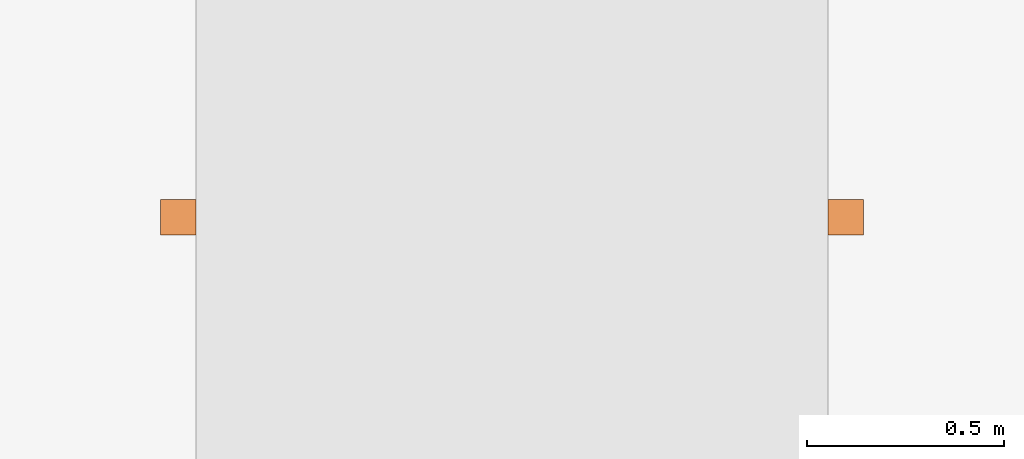
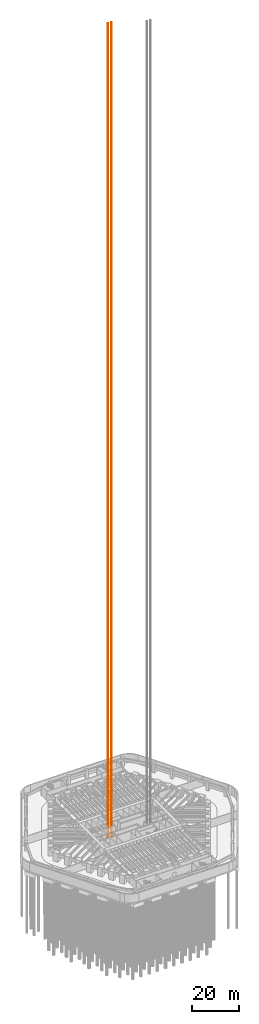
# One storey, part 17 of 17: 1 proxy.
"""IFC4 building model written with IfcOpenShell, lengths in metres."""

from ifc_helpers import new_model, si_unit, direction, frame, frame_2d, origin, origin_2d, place, context, subcontext, project, spatial, rectangle, extrude, material, element, save


model = new_model("IFC4")

# Units and contexts
model_context = context("Model", 3, precision=1e-05, world=origin(), true_north=direction((0.0, 1.0)))
body_context = subcontext(model_context, "Body", "Model", "MODEL_VIEW")
ifc_project = project(units=[si_unit("LENGTHUNIT", "METRE"), si_unit("AREAUNIT", "SQUARE_METRE"), si_unit("VOLUMEUNIT", "CUBIC_METRE"), si_unit("PLANEANGLEUNIT", "RADIAN"), si_unit("MASSUNIT", "GRAM", prefix="KILO")], contexts=[model_context])

# Site, building, storey
site_placement = place(None, origin())
site = spatial("IfcSite", under=ifc_project, at=site_placement, CompositionType="ELEMENT")
building_placement = place(site_placement, origin())
building = spatial("IfcBuilding", under=site, at=building_placement, Name="Tarfa Lantern Tower", CompositionType="ELEMENT")
storey_placement = place(building_placement, frame((0.0, 0.0, -9.0)))
storey = spatial("IfcBuildingStorey", under=building, at=storey_placement, Name="B2", CompositionType="ELEMENT", Elevation=-9.0)

# Proxy
ifc_material = material(Name="Steel S355", Category="steel")
proxy_placement = place(storey_placement, frame((-8.344970703125, 3.39990234375, -2.0), z_axis=(0.0, 0.0, 1.0), x_axis=(1.0, 0.0, 0.0)))
element("IfcBuildingElementProxy", 1, at=proxy_placement, inside=storey, material=ifc_material, Name="Guide rails FL1", PredefinedType="NOTDEFINED", context=body_context, shape_type="SweptSolid", body=[
    extrude(rectangle(XDim=0.090087890625, YDim=0.090087890625, at=origin_2d()), origin(), (0.0, 0.0, 1.0), 418.949951171875),
    extrude(rectangle(XDim=0.090087890625, YDim=0.090087890625, at=frame_2d((1.68994140625, 0.0))), origin(), (0.0, 0.0, 1.0), 418.949951171875),
])

save(model, "model.ifc")
